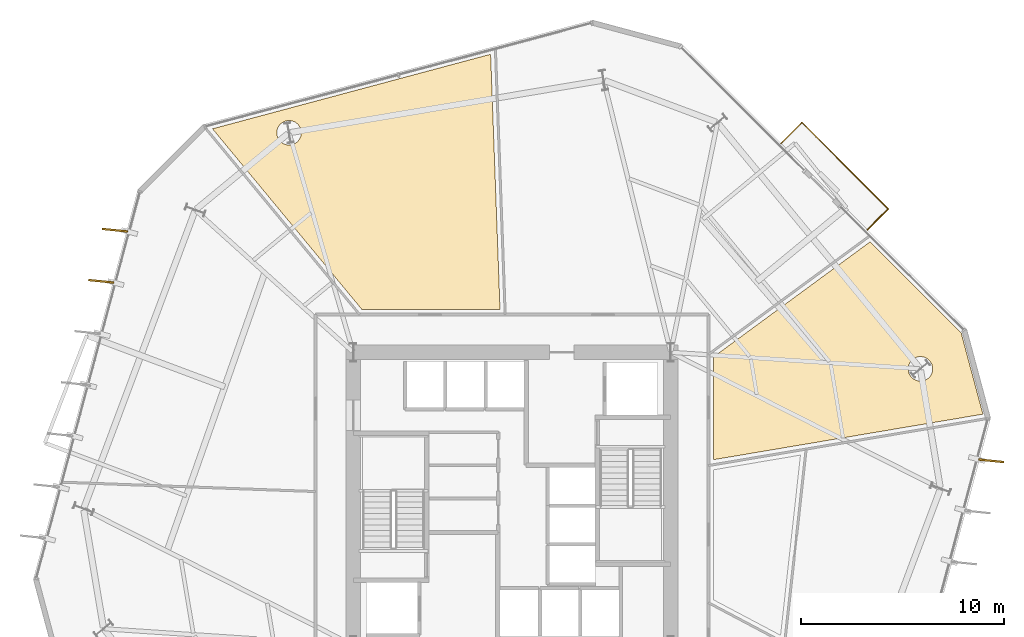
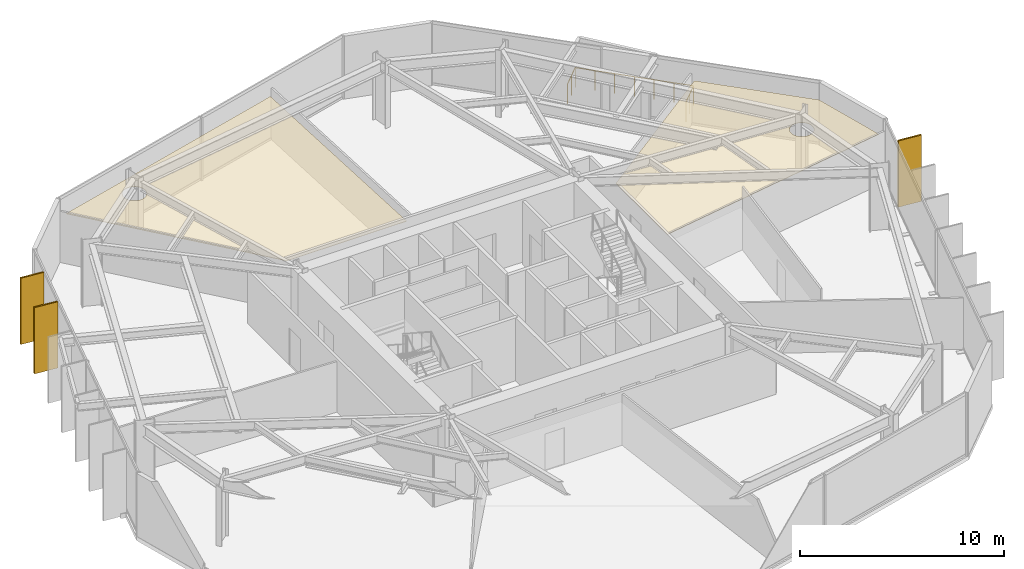
# One storey, part 10 of 10: 5 coverings, 3 shading devices, 1 railing.
"""IFC4 building model written with IfcOpenShell, lengths in metres."""

from ifc_helpers import new_model, si_unit, direction, frame, origin, origin_2d, place, context, subcontext, project, spatial, polyline, rectangle, circle, outline, extrude, material, layer, layer_set, type_object, element, save


model = new_model("IFC4")

# Units and contexts
model_context = context("Model", 3, precision=1e-05, world=origin(), true_north=direction((0.0, 1.0)))
body_context = subcontext(model_context, "Body", "Model", "MODEL_VIEW")
ifc_project = project(units=[si_unit("LENGTHUNIT", "METRE"), si_unit("AREAUNIT", "SQUARE_METRE"), si_unit("VOLUMEUNIT", "CUBIC_METRE"), si_unit("PLANEANGLEUNIT", "RADIAN"), si_unit("MASSUNIT", "GRAM", prefix="KILO")], contexts=[model_context])

# Site, building, storey
site_placement = place(None, origin())
site = spatial("IfcSite", under=ifc_project, at=site_placement, CompositionType="ELEMENT")
building_placement = place(site_placement, origin())
building = spatial("IfcBuilding", under=site, at=building_placement, Name="Kranzbogen Civic Tower", CompositionType="ELEMENT")
storey_placement = place(building_placement, frame((0.0, 0.0, 80.0)))
storey = spatial("IfcBuildingStorey", under=building, at=storey_placement, Name="L19", CompositionType="ELEMENT", Elevation=80.0)

# Coverings
ifc_material_1 = material(Name="Pale Anodised Aluminium", Category="aluminium")
ifc_layer_1 = layer(ifc_material_1, 0.02490234375, Name="Pale Anodised Aluminium")
ifc_layer_set_1 = layer_set([ifc_layer_1], Name="Pale Anodised Aluminium")
covering_type_1 = type_object("IfcCoveringType", Name="Anodised Aluminium Vertical Fin Cladding 25 mm", PredefinedType="CLADDING", material=ifc_layer_set_1)
for number, where, z_axis, x_axis, name in (
    (1, (5.485107421875, 38.199951171875, -0.139892578125), (0.0, 0.0, 1.0), (-0.994889523866, 0.100969477078, 0.0), "L19 vertical fin pale-metal cladding F3-1"),
    (2, (4.81201171875, 35.68896484375, -0.139892578125), (0.0, 0.0, 1.0), (-0.994889523866, 0.100969477078, 0.0), "L19 vertical fin pale-metal cladding F3-2"),
    (3, (48.552978515625, 26.867919921875, -0.139892578125), (0.0, 0.0, 1.0), (0.994889523866, -0.100969477078, 0.0), "L19 vertical fin pale-metal cladding F6-7"),
):
    element("IfcCovering", number, at=place(storey_placement, frame(where, z_axis=z_axis, x_axis=x_axis)), inside=storey, type_object=covering_type_1, Name=name, PredefinedType="CLADDING", context=body_context, shape_type="SweptSolid", body=[
        extrude(rectangle(XDim=1.25, YDim=0.10009765625, at=origin_2d()), origin(), (0.0, 0.0, 1.0), 3.9599609375),
    ])

# Shading devices
ifc_material_2 = material(Name="Anodised Bronze Aluminium", Category="aluminium")
shading_device_type = type_object("IfcShadingDeviceType", Name="Anodised Bronze Vertical Facade Fin 1250x80", PredefinedType="USERDEFINED", material=ifc_material_2)
for number, where, z_axis, x_axis, name in (
    (4, (5.485107421875, 38.199951171875, -0.139892578125), (0.0, 0.0, 1.0), (-0.994889523866, 0.100969477078, 0.0), "L19 vertical exterior shading fin F3-1"),
    (5, (4.81201171875, 35.68896484375, -0.139892578125), (0.0, 0.0, 1.0), (-0.994889523866, 0.100969477078, 0.0), "L19 vertical exterior shading fin F3-2"),
    (6, (48.552978515625, 26.867919921875, -0.139892578125), (0.0, 0.0, 1.0), (0.994889523866, -0.100969477078, 0.0), "L19 vertical exterior shading fin F6-7"),
):
    element("IfcShadingDevice", number, at=place(storey_placement, frame(where, z_axis=z_axis, x_axis=x_axis)), inside=storey, type_object=shading_device_type, Name=name, ObjectType="FIN", PredefinedType="USERDEFINED", context=body_context, shape_type="SweptSolid", body=[
        extrude(rectangle(XDim=1.25, YDim=0.080078125, at=origin_2d()), origin(), (0.0, 0.0, 1.0), 3.9599609375),
    ])

# Railing
railing_type = type_object("IfcRailingType", Name="Cantilevered Balcony Glass and Bronze Balustrade 1200", PredefinedType="BALUSTRADE", material=ifc_material_2)
railing_placement = place(storey_placement, frame((42.466064453125, 38.222900390625, 0.0)))
element("IfcRailing", 7, at=railing_placement, inside=storey, type_object=railing_type, Name="L19 exterior terrace balustrade L19-TB1", PredefinedType="BALUSTRADE", context=body_context, shape_type="SweptSolid", body=[
    extrude(circle(Radius=0.02392578125, at=origin_2d()), frame((0.0, 0.0, 1.17578125), z_axis=(0.707022566719, 0.707190985625, 0.0), x_axis=(-0.707190985625, 0.707022566719, 0.0)), (0.0, 0.0, 1.0), 1.44970703125),
    extrude(circle(Radius=0.02392578125, at=origin_2d()), frame((1.02490234375, 1.025146484375, 1.17578125), z_axis=(-0.707106781187, 0.707106781187, 0.0), x_axis=(-0.707106781187, -0.707106781187, 0.0)), (0.0, 0.0, 1.0), 6.00048828125),
    extrude(circle(Radius=0.02392578125, at=origin_2d()), frame((-3.218017578125, 5.26806640625, 1.17578125), z_axis=(-0.707190985625, -0.707022566719, 0.0), x_axis=(0.707022566719, -0.707190985625, 0.0)), (0.0, 0.0, 1.0), 1.44970703125),
    extrude(circle(Radius=0.02099609375, at=origin_2d()), origin(), (0.0, 0.0, 1.0), 1.15185546875),
    extrude(circle(Radius=0.02099609375, at=origin_2d()), frame((0.512451171875, 0.5126953125, 0.0)), (0.0, 0.0, 1.0), 1.15185546875),
    extrude(circle(Radius=0.02099609375, at=origin_2d()), frame((1.02490234375, 1.025146484375, 0.0)), (0.0, 0.0, 1.0), 1.15185546875),
    extrude(circle(Radius=0.02099609375, at=origin_2d()), frame((0.31787109375, 1.732421875, 0.0)), (0.0, 0.0, 1.0), 1.15185546875),
    extrude(circle(Radius=0.02099609375, at=origin_2d()), frame((-0.389404296875, 2.439453125, 0.0)), (0.0, 0.0, 1.0), 1.15185546875),
    extrude(circle(Radius=0.02099609375, at=origin_2d()), frame((-1.0966796875, 3.146484375, 0.0)), (0.0, 0.0, 1.0), 1.15185546875),
    extrude(circle(Radius=0.02099609375, at=origin_2d()), frame((-1.8037109375, 3.853759765625, 0.0)), (0.0, 0.0, 1.0), 1.15185546875),
    extrude(circle(Radius=0.02099609375, at=origin_2d()), frame((-2.5107421875, 4.56103515625, 0.0)), (0.0, 0.0, 1.0), 1.15185546875),
    extrude(circle(Radius=0.02099609375, at=origin_2d()), frame((-3.218017578125, 5.26806640625, 0.0)), (0.0, 0.0, 1.0), 1.15185546875),
    extrude(circle(Radius=0.02099609375, at=origin_2d()), frame((-3.73046875, 4.755615234375, 0.0)), (0.0, 0.0, 1.0), 1.15185546875),
    extrude(circle(Radius=0.02099609375, at=origin_2d()), frame((-4.2431640625, 4.2431640625, 0.0)), (0.0, 0.0, 1.0), 1.15185546875),
])

# Coverings
ifc_material_3 = material(Name="Perforated Acoustic Gypsum Ceiling")
ifc_layer_2 = layer(ifc_material_3, 0.02490234375, Name="Perforated Acoustic Gypsum Ceiling")
ifc_layer_set_2 = layer_set([ifc_layer_2], Name="Perforated Acoustic Gypsum Ceiling")
covering_type_2 = type_object("IfcCoveringType", Name="Perforated Acoustic Mineral Ceiling Tile 25 mm", PredefinedType="CEILING", material=ifc_layer_set_2)
covering_1_placement = place(storey_placement, frame((0.0, 0.0, 2.75)))
element("IfcCovering", 8, at=covering_1_placement, inside=storey, type_object=covering_type_2, Name="L19 Duty Crew Control Room acoustic ceiling", PredefinedType="CEILING", context=body_context, shape_type="SweptSolid", body=[
    extrude(outline(polyline([(48.14501953125, 29.158935546875), (34.89501953125, 26.919921875), (34.89501953125, 31.967041015625), (42.60009765625, 37.62890625), (47.074951171875, 33.154052734375), (48.14501953125, 29.158935546875)]), holes=[polyline([(45.6279296875, 31.156005859375), (45.60302734375, 31.10205078125), (45.572998046875, 31.052001953125), (45.537109375, 31.00390625), (45.498046875, 30.9599609375), (45.4541015625, 30.9208984375), (45.406005859375, 30.885009765625), (45.35595703125, 30.85498046875), (45.302001953125, 30.830078125), (45.2470703125, 30.81005859375), (45.18896484375, 30.7958984375), (45.131103515625, 30.787109375), (45.072021484375, 30.783935546875), (45.012939453125, 30.787109375), (44.955078125, 30.7958984375), (44.89697265625, 30.81005859375), (44.842041015625, 30.830078125), (44.7880859375, 30.85498046875), (44.738037109375, 30.885009765625), (44.68994140625, 30.9208984375), (44.64599609375, 30.9599609375), (44.60693359375, 31.00390625), (44.571044921875, 31.052001953125), (44.541015625, 31.10205078125), (44.51611328125, 31.156005859375), (44.49609375, 31.2109375), (44.48193359375, 31.26904296875), (44.472900390625, 31.326904296875), (44.469970703125, 31.385986328125), (44.472900390625, 31.445068359375), (44.48193359375, 31.5029296875), (44.49609375, 31.56103515625), (44.51611328125, 31.615966796875), (44.541015625, 31.669921875), (44.571044921875, 31.719970703125), (44.60693359375, 31.76806640625), (44.64599609375, 31.81201171875), (44.68994140625, 31.85107421875), (44.738037109375, 31.886962890625), (44.7880859375, 31.9169921875), (44.842041015625, 31.94189453125), (44.89697265625, 31.9619140625), (44.955078125, 31.97607421875), (45.012939453125, 31.985107421875), (45.072021484375, 31.988037109375), (45.131103515625, 31.985107421875), (45.18896484375, 31.97607421875), (45.2470703125, 31.9619140625), (45.302001953125, 31.94189453125), (45.35595703125, 31.9169921875), (45.406005859375, 31.886962890625), (45.4541015625, 31.85107421875), (45.498046875, 31.81201171875), (45.537109375, 31.76806640625), (45.572998046875, 31.719970703125), (45.60302734375, 31.669921875), (45.6279296875, 31.615966796875), (45.64794921875, 31.56103515625), (45.662109375, 31.5029296875), (45.6708984375, 31.445068359375), (45.674072265625, 31.385986328125), (45.6708984375, 31.326904296875), (45.662109375, 31.26904296875), (45.64794921875, 31.2109375), (45.6279296875, 31.156005859375)])]), origin(), (0.0, 0.0, 1.0), 0.02490234375),
])
covering_2_placement = place(storey_placement, frame((0.0, 0.0, 2.75)))
element("IfcCovering", 9, at=covering_2_placement, inside=storey, type_object=covering_type_2, Name="L19 Civic Reference Library acoustic ceiling", PredefinedType="CEILING", context=body_context, shape_type="SweptSolid", body=[
    extrude(outline(polyline([(24.412109375, 34.294921875), (17.631103515625, 34.294921875), (10.280029296875, 43.18408203125), (23.949951171875, 46.847900390625), (24.412109375, 34.294921875)]), holes=[polyline([(14.597900390625, 42.758056640625), (14.572998046875, 42.7041015625), (14.54296875, 42.654052734375), (14.507080078125, 42.60595703125), (14.468017578125, 42.56201171875), (14.424072265625, 42.52294921875), (14.3759765625, 42.487060546875), (14.325927734375, 42.45703125), (14.27197265625, 42.431884765625), (14.217041015625, 42.412109375), (14.158935546875, 42.39794921875), (14.10107421875, 42.388916015625), (14.0419921875, 42.385986328125), (13.98291015625, 42.388916015625), (13.925048828125, 42.39794921875), (13.866943359375, 42.412109375), (13.81201171875, 42.431884765625), (13.758056640625, 42.45703125), (13.7080078125, 42.487060546875), (13.659912109375, 42.52294921875), (13.615966796875, 42.56201171875), (13.576904296875, 42.60595703125), (13.541015625, 42.654052734375), (13.510986328125, 42.7041015625), (13.486083984375, 42.758056640625), (13.466064453125, 42.81298828125), (13.451904296875, 42.87109375), (13.443115234375, 42.928955078125), (13.43994140625, 42.988037109375), (13.443115234375, 43.047119140625), (13.451904296875, 43.10498046875), (13.466064453125, 43.1630859375), (13.486083984375, 43.218017578125), (13.510986328125, 43.27197265625), (13.541015625, 43.322021484375), (13.576904296875, 43.3701171875), (13.615966796875, 43.4140625), (13.659912109375, 43.452880859375), (13.7080078125, 43.489013671875), (13.758056640625, 43.51904296875), (13.81201171875, 43.5439453125), (13.866943359375, 43.56396484375), (13.925048828125, 43.577880859375), (13.98291015625, 43.5869140625), (14.0419921875, 43.590087890625), (14.10107421875, 43.5869140625), (14.158935546875, 43.577880859375), (14.217041015625, 43.56396484375), (14.27197265625, 43.5439453125), (14.325927734375, 43.51904296875), (14.3759765625, 43.489013671875), (14.424072265625, 43.452880859375), (14.468017578125, 43.4140625), (14.507080078125, 43.3701171875), (14.54296875, 43.322021484375), (14.572998046875, 43.27197265625), (14.597900390625, 43.218017578125), (14.617919921875, 43.1630859375), (14.632080078125, 43.10498046875), (14.64111328125, 43.047119140625), (14.64404296875, 42.988037109375), (14.64111328125, 42.928955078125), (14.632080078125, 42.87109375), (14.617919921875, 42.81298828125), (14.597900390625, 42.758056640625)])]), origin(), (0.0, 0.0, 1.0), 0.02490234375),
])

save(model, "model.ifc")
